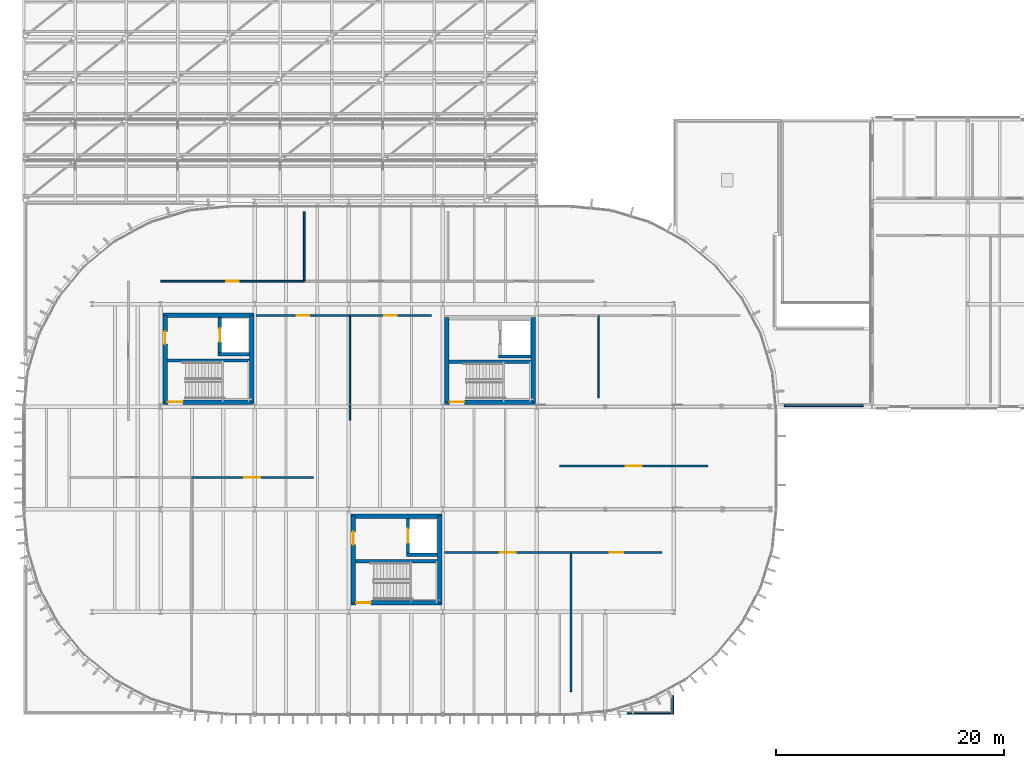
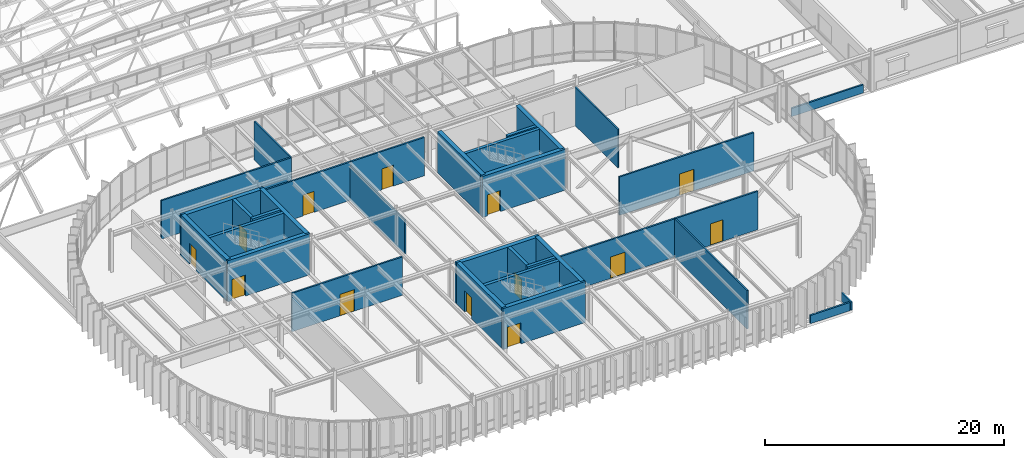
# One storey, part 53 of 69: 33 walls, 14 doors, 14 openings.
"""IFC4 building model written with IfcOpenShell, lengths in metres."""

from ifc_helpers import new_model, si_unit, direction, frame, frame_2d, origin, place, context, subcontext, project, spatial, rectangle, extrude, material, layer, layer_set, type_object, element, fill, save


model = new_model("IFC4")

# Units and contexts
model_context = context("Model", 3, precision=1e-05, world=origin(), true_north=direction((0.0, 1.0)))
body_context = subcontext(model_context, "Body", "Model", "MODEL_VIEW")
ifc_project = project(units=[si_unit("LENGTHUNIT", "METRE"), si_unit("AREAUNIT", "SQUARE_METRE"), si_unit("VOLUMEUNIT", "CUBIC_METRE"), si_unit("PLANEANGLEUNIT", "RADIAN"), si_unit("MASSUNIT", "GRAM", prefix="KILO")], contexts=[model_context])

# Site, building, storey
site_placement = place(None, origin())
site = spatial("IfcSite", under=ifc_project, at=site_placement, CompositionType="ELEMENT")
building_placement = place(site_placement, origin())
building = spatial("IfcBuilding", under=site, at=building_placement, Name="Montealbar Specialist Clinic", CompositionType="ELEMENT")
storey_placement = place(building_placement, frame((0.0, 0.0, 9.60009765625)))
storey = spatial("IfcBuildingStorey", under=building, at=storey_placement, Name="L02", CompositionType="ELEMENT", Elevation=9.60009765625)

# Walls
ifc_material_1 = material(Name="Concrete C35/45", Category="concrete")
ifc_layer_1 = layer(ifc_material_1, 0.300048828125, Name="Concrete C35/45", Category="concrete")
ifc_layer_set_1 = layer_set([ifc_layer_1], Name="Concrete C35/45")
wall_type_1 = type_object("IfcWallType", Name="WL-CORE-300", PredefinedType="SHEAR", material=ifc_layer_set_1)
wall_1_placement = place(storey_placement, frame((66.60009765625, 31.050048828125, 0.0), z_axis=(0.0, 0.0, 1.0), x_axis=(1.0, 0.0, 0.0)))
element("IfcWall", 1, at=wall_1_placement, inside=storey, type_object=wall_type_1, Name="Core C3 Stairwell Wall L02", PredefinedType="SHEAR", context=body_context, shape_type="SweptSolid", body=[
    extrude(rectangle(XDim=7.199951171875, YDim=0.300048828125, at=frame_2d((3.60009765625, 0.0))), origin(), (0.0, 0.0, 1.0), 4.199951171875),
])
wall_2_placement = place(storey_placement, frame((71.050048828125, 31.60009765625, 0.0), z_axis=(0.0, 0.0, 1.0), x_axis=(1.0, 0.0, 0.0)))
element("IfcWall", 2, at=wall_2_placement, inside=storey, type_object=wall_type_1, Name="Lift FL-01 Shaft Wall L02 LS", PredefinedType="SHEAR", context=body_context, shape_type="SweptSolid", body=[
    extrude(rectangle(XDim=2.75, YDim=0.300048828125, at=frame_2d((1.375, 0.0))), origin(), (0.0, 0.0, 1.0), 4.199951171875),
])

# Wall, opening, door
wall_3_placement = place(storey_placement, frame((71.199951171875, 31.75, 0.0), z_axis=(0.0, 0.0, 1.0), x_axis=(0.0, 1.0, 0.0)))
wall_3 = element("IfcWall", 3, at=wall_3_placement, inside=storey, type_object=wall_type_1, Name="Lift FL-01 Shaft Wall L02 LW", PredefinedType="SHEAR", context=body_context, shape_type="SweptSolid", body=[
    extrude(rectangle(XDim=3.050048828125, YDim=0.300048828125, at=frame_2d((1.52490234375, 0.0))), origin(), (0.0, 0.0, 1.0), 4.199951171875),
])
opening_1_placement = place(wall_3_placement, frame((0.925048828125, 0.0, 0.0)))
opening_1 = element("IfcOpeningElement", 4, at=opening_1_placement, cuts=wall_3, Name="Opening LD-12", PredefinedType="OPENING", context=body_context, shape_type="SweptSolid", body=[
    extrude(rectangle(XDim=1.199951171875, YDim=2.14990234375, at=frame_2d((0.60009765625, 1.074951171875))), frame((0.0, 0.159912109375, 0.0), z_axis=(0.0, -1.0, 0.0), x_axis=(1.0, 0.0, 0.0)), (0.0, 0.0, 1.0), 0.320068359375),
])
ifc_material_2 = material(Name="Steel S355", Category="steel")
door_type_1 = type_object("IfcDoorType", Name="DR-LIFT-LD1200", OperationType="DOUBLE_DOOR_SLIDING", PredefinedType="DOOR", material=ifc_material_2)
door_1_placement = place(opening_1_placement, origin())
door_1 = element("IfcDoor", 5, at=door_1_placement, inside=storey, type_object=door_type_1, Name="Lift FL-01 Sliding Landing Door L02", OperationType="DOUBLE_DOOR_SLIDING", OverallHeight=2.14990234375, OverallWidth=1.199951171875, PredefinedType="DOOR", context=body_context, shape_type="SweptSolid", body=[
    extrude(rectangle(XDim=1.199951171875, YDim=2.14990234375, at=frame_2d((0.60009765625, 1.074951171875))), frame((0.0, 0.02490234375, 0.0), z_axis=(0.0, -1.0, 0.0), x_axis=(1.0, 0.0, 0.0)), (0.0, 0.0, 1.0), 0.050048828125),
])
fill(opening_1, door_1)

# Walls
wall_4_placement = place(storey_placement, frame((83.10009765625, 13.449951171875, 0.0), z_axis=(0.0, 0.0, 1.0), x_axis=(1.0, 0.0, 0.0)))
element("IfcWall", 6, at=wall_4_placement, inside=storey, type_object=wall_type_1, Name="Core C4 Stairwell Wall L02", PredefinedType="SHEAR", context=body_context, shape_type="SweptSolid", body=[
    extrude(rectangle(XDim=7.199951171875, YDim=0.300048828125, at=frame_2d((3.60009765625, 0.0))), origin(), (0.0, 0.0, 1.0), 4.199951171875),
])
wall_5_placement = place(storey_placement, frame((87.550048828125, 14.0, 0.0), z_axis=(0.0, 0.0, 1.0), x_axis=(1.0, 0.0, 0.0)))
element("IfcWall", 7, at=wall_5_placement, inside=storey, type_object=wall_type_1, Name="Lift FL-02 Shaft Wall L02 LS", PredefinedType="SHEAR", context=body_context, shape_type="SweptSolid", body=[
    extrude(rectangle(XDim=2.75, YDim=0.300048828125, at=frame_2d((1.375, 0.0))), origin(), (0.0, 0.0, 1.0), 4.199951171875),
])

# Wall, opening, door
wall_6_placement = place(storey_placement, frame((87.699951171875, 14.14990234375, 0.0), z_axis=(0.0, 0.0, 1.0), x_axis=(0.0, 1.0, 0.0)))
wall_6 = element("IfcWall", 8, at=wall_6_placement, inside=storey, type_object=wall_type_1, Name="Lift FL-02 Shaft Wall L02 LW", PredefinedType="SHEAR", context=body_context, shape_type="SweptSolid", body=[
    extrude(rectangle(XDim=3.050048828125, YDim=0.300048828125, at=frame_2d((1.52490234375, 0.0))), origin(), (0.0, 0.0, 1.0), 4.199951171875),
])
opening_2_placement = place(wall_6_placement, frame((0.925048828125, 0.0, 0.0)))
opening_2 = element("IfcOpeningElement", 9, at=opening_2_placement, cuts=wall_6, Name="Opening LD-12", PredefinedType="OPENING", context=body_context, shape_type="SweptSolid", body=[
    extrude(rectangle(XDim=1.199951171875, YDim=2.14990234375, at=frame_2d((0.60009765625, 1.074951171875))), frame((0.0, 0.159912109375, 0.0), z_axis=(0.0, -1.0, 0.0), x_axis=(1.0, 0.0, 0.0)), (0.0, 0.0, 1.0), 0.320068359375),
])
door_2_placement = place(opening_2_placement, origin())
door_2 = element("IfcDoor", 10, at=door_2_placement, inside=storey, type_object=door_type_1, Name="Lift FL-02 Sliding Landing Door L02", OperationType="DOUBLE_DOOR_SLIDING", OverallHeight=2.14990234375, OverallWidth=1.199951171875, PredefinedType="DOOR", context=body_context, shape_type="SweptSolid", body=[
    extrude(rectangle(XDim=1.199951171875, YDim=2.14990234375, at=frame_2d((0.60009765625, 1.074951171875))), frame((0.0, 0.02490234375, 0.0), z_axis=(0.0, -1.0, 0.0), x_axis=(1.0, 0.0, 0.0)), (0.0, 0.0, 1.0), 0.050048828125),
])
fill(opening_2, door_2)

# Walls
wall_7_placement = place(storey_placement, frame((91.300048828125, 30.949951171875, 0.0), z_axis=(0.0, 0.0, 1.0), x_axis=(1.0, 0.0, 0.0)))
element("IfcWall", 11, at=wall_7_placement, inside=storey, type_object=wall_type_1, Name="Core C5 Stairwell Wall L02", PredefinedType="SHEAR", context=body_context, shape_type="SweptSolid", body=[
    extrude(rectangle(XDim=7.199951171875, YDim=0.300048828125, at=frame_2d((3.60009765625, 0.0))), origin(), (0.0, 0.0, 1.0), 4.199951171875),
])
wall_8_placement = place(storey_placement, frame((95.64990234375, 31.39990234375, 0.0), z_axis=(0.0, 0.0, 1.0), x_axis=(1.0, 0.0, 0.0)))
element("IfcWall", 12, at=wall_8_placement, inside=storey, type_object=wall_type_1, Name="Lift LF-03 Shaft Wall L02 LS", PredefinedType="SHEAR", context=body_context, shape_type="SweptSolid", body=[
    extrude(rectangle(XDim=2.85009765625, YDim=0.300048828125, at=frame_2d((1.425048828125, 0.0))), origin(), (0.0, 0.0, 1.0), 4.199951171875),
])

# Wall, opening, door
ifc_layer_2 = layer(ifc_material_1, 0.39990234375, Name="Concrete C35/45", Category="concrete")
ifc_layer_set_2 = layer_set([ifc_layer_2], Name="Concrete C35/45")
wall_type_2 = type_object("IfcWallType", Name="WL-CORE-400", PredefinedType="SHEAR", material=ifc_layer_set_2)
wall_9_placement = place(storey_placement, frame((66.199951171875, 27.39990234375, 0.0), z_axis=(0.0, 0.0, 1.0), x_axis=(1.0, 0.0, 0.0)))
wall_9 = element("IfcWall", 13, at=wall_9_placement, inside=storey, type_object=wall_type_2, Name="Core C3 Shear Wall L02 S", PredefinedType="SHEAR", context=body_context, shape_type="SweptSolid", body=[
    extrude(rectangle(XDim=8.0, YDim=0.39990234375, at=frame_2d((4.0, 0.0))), origin(), (0.0, 0.0, 1.0), 4.199951171875),
])
opening_3_placement = place(wall_9_placement, frame((0.449951171875, 0.0, 0.0)))
opening_3 = element("IfcOpeningElement", 14, at=opening_3_placement, cuts=wall_9, Name="Opening SD-13", PredefinedType="OPENING", context=body_context, shape_type="SweptSolid", body=[
    extrude(rectangle(XDim=1.300048828125, YDim=2.14990234375, at=frame_2d((0.64990234375, 1.074951171875))), frame((0.0, 0.2099609375, 0.0), z_axis=(0.0, -1.0, 0.0), x_axis=(1.0, 0.0, 0.0)), (0.0, 0.0, 1.0), 0.419921875),
])
door_type_2 = type_object("IfcDoorType", Name="DR-STAIR-W1300", OperationType="NOTDEFINED", PredefinedType="DOOR", material=ifc_material_2)
door_3_placement = place(opening_3_placement, frame((1.300048828125, 0.0, 0.0), z_axis=(0.0, 0.0, 1.0), x_axis=(-1.0, 0.0, 0.0)))
door_3 = element("IfcDoor", 15, at=door_3_placement, inside=storey, type_object=door_type_2, Name="Protected Core C3 Stair Fire Door L02", OperationType="SINGLE_SWING_LEFT", OverallHeight=2.14990234375, OverallWidth=1.300048828125, PredefinedType="DOOR", context=body_context, shape_type="SweptSolid", body=[
    extrude(rectangle(XDim=1.300048828125, YDim=2.14990234375, at=frame_2d((0.64990234375, 1.074951171875))), frame((0.0, 0.02490234375, 0.0), z_axis=(0.0, -1.0, 0.0), x_axis=(1.0, 0.0, 0.0)), (0.0, 0.0, 1.0), 0.050048828125),
])
fill(opening_3, door_3)

# Wall
wall_10_placement = place(storey_placement, frame((66.199951171875, 35.0, 0.0), z_axis=(0.0, 0.0, 1.0), x_axis=(1.0, 0.0, 0.0)))
element("IfcWall", 16, at=wall_10_placement, inside=storey, type_object=wall_type_2, Name="Core C3 Shear Wall L02 N", PredefinedType="SHEAR", context=body_context, shape_type="SweptSolid", body=[
    extrude(rectangle(XDim=8.0, YDim=0.39990234375, at=frame_2d((4.0, 0.0))), origin(), (0.0, 0.0, 1.0), 4.199951171875),
])

# Wall, opening, door
wall_11_placement = place(storey_placement, frame((66.39990234375, 27.39990234375, 0.0), z_axis=(0.0, 0.0, 1.0), x_axis=(0.0, 1.0, 0.0)))
wall_11 = element("IfcWall", 17, at=wall_11_placement, inside=storey, type_object=wall_type_2, Name="Core C3 Shear Wall L02 W", PredefinedType="SHEAR", context=body_context, shape_type="SweptSolid", body=[
    extrude(rectangle(XDim=7.60009765625, YDim=0.39990234375, at=frame_2d((3.800048828125, 0.0))), origin(), (0.0, 0.0, 1.0), 4.199951171875),
])
opening_4_placement = place(wall_11_placement, frame((5.090087890625, 0.0, 0.0)))
opening_4 = element("IfcOpeningElement", 18, at=opening_4_placement, cuts=wall_11, Name="Opening FD-110", PredefinedType="OPENING", context=body_context, shape_type="SweptSolid", body=[
    extrude(rectangle(XDim=1.1201171875, YDim=2.14990234375, at=frame_2d((0.56005859375, 1.074951171875))), frame((0.0, 0.2099609375, 0.0), z_axis=(0.0, -1.0, 0.0), x_axis=(1.0, 0.0, 0.0)), (0.0, 0.0, 1.0), 0.419921875),
])
door_type_3 = type_object("IfcDoorType", Name="DR-FIRE-W1100", OperationType="NOTDEFINED", PredefinedType="DOOR", material=ifc_material_2)
door_4_placement = place(opening_4_placement, origin())
door_4 = element("IfcDoor", 19, at=door_4_placement, inside=storey, type_object=door_type_3, Name="Firefighting Lobby C3 Entrance Door L02", OperationType="SINGLE_SWING_RIGHT", OverallHeight=2.14990234375, OverallWidth=1.1201171875, PredefinedType="DOOR", context=body_context, shape_type="SweptSolid", body=[
    extrude(rectangle(XDim=1.1201171875, YDim=2.14990234375, at=frame_2d((0.56005859375, 1.074951171875))), frame((0.0, 0.02490234375, 0.0), z_axis=(0.0, -1.0, 0.0), x_axis=(1.0, 0.0, 0.0)), (0.0, 0.0, 1.0), 0.050048828125),
])
fill(opening_4, door_4)

# Wall
wall_12_placement = place(storey_placement, frame((74.0, 27.39990234375, 0.0), z_axis=(0.0, 0.0, 1.0), x_axis=(0.0, 1.0, 0.0)))
element("IfcWall", 20, at=wall_12_placement, inside=storey, type_object=wall_type_2, Name="Core C3 Shear Wall L02 E", PredefinedType="SHEAR", context=body_context, shape_type="SweptSolid", body=[
    extrude(rectangle(XDim=7.60009765625, YDim=0.39990234375, at=frame_2d((3.800048828125, 0.0))), origin(), (0.0, 0.0, 1.0), 4.199951171875),
])

# Wall, opening, door
wall_13_placement = place(storey_placement, frame((82.699951171875, 9.800048828125, 0.0), z_axis=(0.0, 0.0, 1.0), x_axis=(1.0, 0.0, 0.0)))
wall_13 = element("IfcWall", 21, at=wall_13_placement, inside=storey, type_object=wall_type_2, Name="Core C4 Shear Wall L02 S", PredefinedType="SHEAR", context=body_context, shape_type="SweptSolid", body=[
    extrude(rectangle(XDim=8.0, YDim=0.39990234375, at=frame_2d((4.0, 0.0))), origin(), (0.0, 0.0, 1.0), 4.199951171875),
])
opening_5_placement = place(wall_13_placement, frame((0.449951171875, 0.0, 0.0)))
opening_5 = element("IfcOpeningElement", 22, at=opening_5_placement, cuts=wall_13, Name="Opening SD-13", PredefinedType="OPENING", context=body_context, shape_type="SweptSolid", body=[
    extrude(rectangle(XDim=1.300048828125, YDim=2.14990234375, at=frame_2d((0.64990234375, 1.074951171875))), frame((0.0, 0.2099609375, 0.0), z_axis=(0.0, -1.0, 0.0), x_axis=(1.0, 0.0, 0.0)), (0.0, 0.0, 1.0), 0.419921875),
])
door_5_placement = place(opening_5_placement, frame((1.300048828125, 0.0, 0.0), z_axis=(0.0, 0.0, 1.0), x_axis=(-1.0, 0.0, 0.0)))
door_5 = element("IfcDoor", 23, at=door_5_placement, inside=storey, type_object=door_type_2, Name="Protected Core C4 Stair Fire Door L02", OperationType="SINGLE_SWING_LEFT", OverallHeight=2.14990234375, OverallWidth=1.300048828125, PredefinedType="DOOR", context=body_context, shape_type="SweptSolid", body=[
    extrude(rectangle(XDim=1.300048828125, YDim=2.14990234375, at=frame_2d((0.64990234375, 1.074951171875))), frame((0.0, 0.02490234375, 0.0), z_axis=(0.0, -1.0, 0.0), x_axis=(1.0, 0.0, 0.0)), (0.0, 0.0, 1.0), 0.050048828125),
])
fill(opening_5, door_5)

# Wall
wall_14_placement = place(storey_placement, frame((82.699951171875, 17.39990234375, 0.0), z_axis=(0.0, 0.0, 1.0), x_axis=(1.0, 0.0, 0.0)))
element("IfcWall", 24, at=wall_14_placement, inside=storey, type_object=wall_type_2, Name="Core C4 Shear Wall L02 N", PredefinedType="SHEAR", context=body_context, shape_type="SweptSolid", body=[
    extrude(rectangle(XDim=8.0, YDim=0.39990234375, at=frame_2d((4.0, 0.0))), origin(), (0.0, 0.0, 1.0), 4.199951171875),
])

# Wall, opening, door
wall_15_placement = place(storey_placement, frame((82.89990234375, 9.800048828125, 0.0), z_axis=(0.0, 0.0, 1.0), x_axis=(0.0, 1.0, 0.0)))
wall_15 = element("IfcWall", 25, at=wall_15_placement, inside=storey, type_object=wall_type_2, Name="Core C4 Shear Wall L02 W", PredefinedType="SHEAR", context=body_context, shape_type="SweptSolid", body=[
    extrude(rectangle(XDim=7.599853515625, YDim=0.39990234375, at=frame_2d((3.7998046875, 0.0))), origin(), (0.0, 0.0, 1.0), 4.199951171875),
])
opening_6_placement = place(wall_15_placement, frame((5.090087890625, 0.0, 0.0)))
opening_6 = element("IfcOpeningElement", 26, at=opening_6_placement, cuts=wall_15, Name="Opening FD-110", PredefinedType="OPENING", context=body_context, shape_type="SweptSolid", body=[
    extrude(rectangle(XDim=1.1201171875, YDim=2.14990234375, at=frame_2d((0.56005859375, 1.074951171875))), frame((0.0, 0.2099609375, 0.0), z_axis=(0.0, -1.0, 0.0), x_axis=(1.0, 0.0, 0.0)), (0.0, 0.0, 1.0), 0.419921875),
])
door_6_placement = place(opening_6_placement, origin())
door_6 = element("IfcDoor", 27, at=door_6_placement, inside=storey, type_object=door_type_3, Name="Firefighting Lobby C4 Entrance Door L02", OperationType="SINGLE_SWING_RIGHT", OverallHeight=2.14990234375, OverallWidth=1.1201171875, PredefinedType="DOOR", context=body_context, shape_type="SweptSolid", body=[
    extrude(rectangle(XDim=1.1201171875, YDim=2.14990234375, at=frame_2d((0.56005859375, 1.074951171875))), frame((0.0, 0.02490234375, 0.0), z_axis=(0.0, -1.0, 0.0), x_axis=(1.0, 0.0, 0.0)), (0.0, 0.0, 1.0), 0.050048828125),
])
fill(opening_6, door_6)

# Wall
wall_16_placement = place(storey_placement, frame((90.5, 9.800048828125, 0.0), z_axis=(0.0, 0.0, 1.0), x_axis=(0.0, 1.0, 0.0)))
element("IfcWall", 28, at=wall_16_placement, inside=storey, type_object=wall_type_2, Name="Core C4 Shear Wall L02 E", PredefinedType="SHEAR", context=body_context, shape_type="SweptSolid", body=[
    extrude(rectangle(XDim=7.599853515625, YDim=0.39990234375, at=frame_2d((3.7998046875, 0.0))), origin(), (0.0, 0.0, 1.0), 4.199951171875),
])

# Wall, opening, door
wall_17_placement = place(storey_placement, frame((90.89990234375, 27.39990234375, 0.0), z_axis=(0.0, 0.0, 1.0), x_axis=(1.0, 0.0, 0.0)))
wall_17 = element("IfcWall", 29, at=wall_17_placement, inside=storey, type_object=wall_type_2, Name="Core C5 Shear Wall L02 S", PredefinedType="SHEAR", context=body_context, shape_type="SweptSolid", body=[
    extrude(rectangle(XDim=8.0, YDim=0.39990234375, at=frame_2d((4.0, 0.0))), origin(), (0.0, 0.0, 1.0), 4.199951171875),
])
opening_7_placement = place(wall_17_placement, frame((0.449951171875, 0.0, 0.0)))
opening_7 = element("IfcOpeningElement", 30, at=opening_7_placement, cuts=wall_17, Name="Opening SD-13", PredefinedType="OPENING", context=body_context, shape_type="SweptSolid", body=[
    extrude(rectangle(XDim=1.300048828125, YDim=2.14990234375, at=frame_2d((0.64990234375, 1.074951171875))), frame((0.0, 0.2099609375, 0.0), z_axis=(0.0, -1.0, 0.0), x_axis=(1.0, 0.0, 0.0)), (0.0, 0.0, 1.0), 0.419921875),
])
door_7_placement = place(opening_7_placement, frame((1.300048828125, 0.0, 0.0), z_axis=(0.0, 0.0, 1.0), x_axis=(-1.0, 0.0, 0.0)))
door_7 = element("IfcDoor", 31, at=door_7_placement, inside=storey, type_object=door_type_2, Name="Protected Core C5 Stair Fire Door L02", OperationType="SINGLE_SWING_LEFT", OverallHeight=2.14990234375, OverallWidth=1.300048828125, PredefinedType="DOOR", context=body_context, shape_type="SweptSolid", body=[
    extrude(rectangle(XDim=1.300048828125, YDim=2.14990234375, at=frame_2d((0.64990234375, 1.074951171875))), frame((0.0, 0.02490234375, 0.0), z_axis=(0.0, -1.0, 0.0), x_axis=(1.0, 0.0, 0.0)), (0.0, 0.0, 1.0), 0.050048828125),
])
fill(opening_7, door_7)

# Walls
for number, where, z_axis, x_axis, name in (
    (32, (91.10009765625, 27.39990234375, 0.0), (0.0, 0.0, 1.0), (0.0, 1.0, 0.0), "Core C5 Shear Wall L02 W"),
    (33, (98.699951171875, 27.39990234375, 0.0), (0.0, 0.0, 1.0), (0.0, 1.0, 0.0), "Core C5 Shear Wall L02 E"),
):
    element("IfcWall", number, at=place(storey_placement, frame(where, z_axis=z_axis, x_axis=x_axis)), inside=storey, type_object=wall_type_2, Name=name, PredefinedType="SHEAR", context=body_context, shape_type="SweptSolid", body=[
        extrude(rectangle(XDim=7.400146484375, YDim=0.39990234375, at=frame_2d((3.7001953125, 0.0))), origin(), (0.0, 0.0, 1.0), 4.199951171875),
    ])
ifc_material_3 = material(Name="Guadarrama granite ashlar", Category="masonry")
ifc_layer_3 = layer(ifc_material_3, 0.159912109375, Name="Guadarrama granite ashlar", Category="masonry")
ifc_layer_set_3 = layer_set([ifc_layer_3], Name="Guadarrama granite ashlar")
wall_type_3 = type_object("IfcWallType", Name="WL-PARAPET-160", PredefinedType="PARAPET", material=ifc_layer_set_3)
wall_18_placement = place(storey_placement, frame((127.64990234375, 27.080078125, 0.0), z_axis=(0.0, 0.0, 1.0), x_axis=(-1.0, 0.0, 0.0)))
element("IfcWall", 34, at=wall_18_placement, inside=storey, type_object=wall_type_3, Name="Roof Parapet L02-024", PredefinedType="PARAPET", context=body_context, shape_type="SweptSolid", body=[
    extrude(rectangle(XDim=6.94091796875, YDim=0.159912109375, at=frame_2d((3.470458984375, 0.0))), origin(), (0.0, 0.0, 1.0), 0.849853515625),
])
wall_19_placement = place(storey_placement, frame((110.919921875, 1.64892578125, 0.0), z_axis=(0.0, 0.0, 1.0), x_axis=(0.0, -1.0, 0.0)))
element("IfcWall", 35, at=wall_19_placement, inside=storey, type_object=wall_type_3, Name="Roof Parapet L02-028", PredefinedType="PARAPET", context=body_context, shape_type="SweptSolid", body=[
    extrude(rectangle(XDim=1.64892578125, YDim=0.159912109375, at=frame_2d((0.824462890625, 0.0))), origin(), (0.0, 0.0, 1.0), 0.849853515625),
])
wall_20_placement = place(storey_placement, frame((110.7451171875, 0.080078125, 0.0), z_axis=(0.0, 0.0, 1.0), x_axis=(-1.0, 0.0, 0.0)))
element("IfcWall", 36, at=wall_20_placement, inside=storey, type_object=wall_type_3, Name="Roof Parapet L02-029", PredefinedType="PARAPET", context=body_context, shape_type="SweptSolid", body=[
    extrude(rectangle(XDim=3.7900390625, YDim=0.159912109375, at=frame_2d((1.89501953125, 0.0))), origin(), (0.0, 0.0, 1.0), 0.849853515625),
])
ifc_material_4 = material(Name="Gypsum acoustic partition", Category="gypsum")
ifc_layer_4 = layer(ifc_material_4, 0.139892578125, Name="Gypsum acoustic partition", Category="gypsum")
ifc_layer_set_4 = layer_set([ifc_layer_4], Name="Gypsum acoustic partition")
wall_type_4 = type_object("IfcWallType", Name="WL-PART-ACOUSTIC-140", PredefinedType="PARTITIONING", material=ifc_layer_set_4)
wall_21_placement = place(storey_placement, frame((102.0, 2.0, 0.0), z_axis=(0.0, 0.0, 1.0), x_axis=(0.0, 1.0, 0.0)))
element("IfcWall", 37, at=wall_21_placement, inside=storey, type_object=wall_type_4, Name="Clinical Partition PART-L02-0139", PredefinedType="PARTITIONING", context=body_context, shape_type="SweptSolid", body=[
    extrude(rectangle(XDim=12.199951171875, YDim=0.139892578125, at=frame_2d((6.10009765625, 0.0))), origin(), (0.0, 0.0, 1.0), 3.929931640625),
])
wall_22_placement = place(storey_placement, frame((78.60009765625, 38.0, 0.0), z_axis=(0.0, 0.0, 1.0), x_axis=(0.0, 1.0, 0.0)))
element("IfcWall", 38, at=wall_22_placement, inside=storey, type_object=wall_type_4, Name="Clinical Partition PART-L02-0142", PredefinedType="PARTITIONING", context=body_context, shape_type="SweptSolid", body=[
    extrude(rectangle(XDim=6.10009765625, YDim=0.139892578125, at=frame_2d((3.050048828125, 0.0))), origin(), (0.0, 0.0, 1.0), 3.929931640625),
])
wall_23_placement = place(storey_placement, frame((104.39990234375, 27.800048828125, 0.0), z_axis=(0.0, 0.0, 1.0), x_axis=(0.0, 1.0, 0.0)))
element("IfcWall", 39, at=wall_23_placement, inside=storey, type_object=wall_type_4, Name="Clinical Partition PART-L02-0147", PredefinedType="PARTITIONING", context=body_context, shape_type="SweptSolid", body=[
    extrude(rectangle(XDim=7.199951171875, YDim=0.139892578125, at=frame_2d((3.60009765625, 0.0))), origin(), (0.0, 0.0, 1.0), 3.929931640625),
])
wall_24_placement = place(storey_placement, frame((82.60009765625, 25.800048828125, 0.0), z_axis=(0.0, 0.0, 1.0), x_axis=(0.0, 1.0, 0.0)))
element("IfcWall", 40, at=wall_24_placement, inside=storey, type_object=wall_type_4, Name="Clinical Partition PART-L02-0254", PredefinedType="PARTITIONING", context=body_context, shape_type="SweptSolid", body=[
    extrude(rectangle(XDim=9.199951171875, YDim=0.139892578125, at=frame_2d((4.60009765625, 0.0))), origin(), (0.0, 0.0, 1.0), 3.52978515625),
])

# Wall, opening, door
ifc_layer_5 = layer(ifc_material_4, 0.159912109375, Name="Gypsum acoustic partition", Category="gypsum")
ifc_layer_set_5 = layer_set([ifc_layer_5], Name="Gypsum acoustic partition")
wall_type_5 = type_object("IfcWallType", Name="WL-PART-CLINIC-160", PredefinedType="PARTITIONING", material=ifc_layer_set_5)
wall_25_placement = place(storey_placement, frame((68.699951171875, 20.800048828125, 0.0), z_axis=(0.0, 0.0, 1.0), x_axis=(1.0, 0.0, 0.0)))
wall_25 = element("IfcWall", 41, at=wall_25_placement, inside=storey, type_object=wall_type_5, Name="Clinical Partition PART-L02-0137", PredefinedType="PARTITIONING", context=body_context, shape_type="SweptSolid", body=[
    extrude(rectangle(XDim=10.699951171875, YDim=0.159912109375, at=frame_2d((5.35009765625, 0.0))), origin(), (0.0, 0.0, 1.0), 3.929931640625),
])
opening_8_placement = place(wall_25_placement, frame((4.64990234375, 0.0, 0.0)))
opening_8 = element("IfcOpeningElement", 42, at=opening_8_placement, cuts=wall_25, Name="Opening ID-140", PredefinedType="OPENING", context=body_context, shape_type="SweptSolid", body=[
    extrude(rectangle(XDim=1.39990234375, YDim=2.199951171875, at=frame_2d((0.699951171875, 1.10009765625))), frame((0.0, 0.08984375, 0.0), z_axis=(0.0, -1.0, 0.0), x_axis=(1.0, 0.0, 0.0)), (0.0, 0.0, 1.0), 0.179931640625),
])
ifc_material_5 = material(Name="Acoustic timber leaf", Category="wood")
door_type_4 = type_object("IfcDoorType", Name="DR-BED-W1400", OperationType="NOTDEFINED", PredefinedType="DOOR", material=ifc_material_5)
door_8_placement = place(opening_8_placement, origin())
door_8 = element("IfcDoor", 43, at=door_8_placement, inside=storey, type_object=door_type_4, Name="Clinical Room Door IDR-L02-0089", OperationType="SINGLE_SWING_RIGHT", OverallHeight=2.199951171875, OverallWidth=1.39990234375, PredefinedType="DOOR", context=body_context, shape_type="SweptSolid", body=[
    extrude(rectangle(XDim=1.39990234375, YDim=2.199951171875, at=frame_2d((0.699951171875, 1.10009765625))), frame((0.0, 0.02490234375, 0.0), z_axis=(0.0, -1.0, 0.0), x_axis=(1.0, 0.0, 0.0)), (0.0, 0.0, 1.0), 0.050048828125),
])
fill(opening_8, door_8)

wall_26_placement = place(storey_placement, frame((90.89990234375, 14.199951171875, 0.0), z_axis=(0.0, 0.0, 1.0), x_axis=(1.0, 0.0, 0.0)))
wall_26 = element("IfcWall", 44, at=wall_26_placement, inside=storey, type_object=wall_type_5, Name="Clinical Partition PART-L02-0138", PredefinedType="PARTITIONING", context=body_context, shape_type="SweptSolid", body=[
    extrude(rectangle(XDim=11.10009765625, YDim=0.159912109375, at=frame_2d((5.550048828125, 0.0))), origin(), (0.0, 0.0, 1.0), 3.929931640625),
])
opening_9_placement = place(wall_26_placement, frame((4.85009765625, 0.0, 0.0)))
opening_9 = element("IfcOpeningElement", 45, at=opening_9_placement, cuts=wall_26, Name="Opening ID-140", PredefinedType="OPENING", context=body_context, shape_type="SweptSolid", body=[
    extrude(rectangle(XDim=1.39990234375, YDim=2.199951171875, at=frame_2d((0.699951171875, 1.10009765625))), frame((0.0, 0.08984375, 0.0), z_axis=(0.0, -1.0, 0.0), x_axis=(1.0, 0.0, 0.0)), (0.0, 0.0, 1.0), 0.179931640625),
])
door_9_placement = place(opening_9_placement, origin())
door_9 = element("IfcDoor", 46, at=door_9_placement, inside=storey, type_object=door_type_4, Name="Clinical Room Door IDR-L02-0090", OperationType="SINGLE_SWING_LEFT", OverallHeight=2.199951171875, OverallWidth=1.39990234375, PredefinedType="DOOR", context=body_context, shape_type="SweptSolid", body=[
    extrude(rectangle(XDim=1.39990234375, YDim=2.199951171875, at=frame_2d((0.699951171875, 1.10009765625))), frame((0.0, 0.02490234375, 0.0), z_axis=(0.0, -1.0, 0.0), x_axis=(1.0, 0.0, 0.0)), (0.0, 0.0, 1.0), 0.050048828125),
])
fill(opening_9, door_9)

wall_27_placement = place(storey_placement, frame((102.0, 14.199951171875, 0.0), z_axis=(0.0, 0.0, 1.0), x_axis=(1.0, 0.0, 0.0)))
wall_27 = element("IfcWall", 47, at=wall_27_placement, inside=storey, type_object=wall_type_5, Name="Clinical Partition PART-L02-0140", PredefinedType="PARTITIONING", context=body_context, shape_type="SweptSolid", body=[
    extrude(rectangle(XDim=8.0, YDim=0.159912109375, at=frame_2d((4.0, 0.0))), origin(), (0.0, 0.0, 1.0), 3.929931640625),
])
opening_10_placement = place(wall_27_placement, frame((3.39990234375, 0.0, 0.0)))
opening_10 = element("IfcOpeningElement", 48, at=opening_10_placement, cuts=wall_27, Name="Opening ID-120", PredefinedType="OPENING", context=body_context, shape_type="SweptSolid", body=[
    extrude(rectangle(XDim=1.199951171875, YDim=2.199951171875, at=frame_2d((0.60009765625, 1.10009765625))), frame((0.0, 0.08984375, 0.0), z_axis=(0.0, -1.0, 0.0), x_axis=(1.0, 0.0, 0.0)), (0.0, 0.0, 1.0), 0.179931640625),
])
door_type_5 = type_object("IfcDoorType", Name="DR-CLIN-W1200", OperationType="NOTDEFINED", PredefinedType="DOOR", material=ifc_material_5)
door_10_placement = place(opening_10_placement, origin())
door_10 = element("IfcDoor", 49, at=door_10_placement, inside=storey, type_object=door_type_5, Name="Clinical Room Door IDR-L02-0091", OperationType="SINGLE_SWING_RIGHT", OverallHeight=2.199951171875, OverallWidth=1.199951171875, PredefinedType="DOOR", context=body_context, shape_type="SweptSolid", body=[
    extrude(rectangle(XDim=1.199951171875, YDim=2.199951171875, at=frame_2d((0.60009765625, 1.10009765625))), frame((0.0, 0.02490234375, 0.0), z_axis=(0.0, -1.0, 0.0), x_axis=(1.0, 0.0, 0.0)), (0.0, 0.0, 1.0), 0.050048828125),
])
fill(opening_10, door_10)

wall_28_placement = place(storey_placement, frame((66.0, 38.0, 0.0), z_axis=(0.0, 0.0, 1.0), x_axis=(1.0, 0.0, 0.0)))
wall_28 = element("IfcWall", 50, at=wall_28_placement, inside=storey, type_object=wall_type_5, Name="Clinical Partition PART-L02-0141", PredefinedType="PARTITIONING", context=body_context, shape_type="SweptSolid", body=[
    extrude(rectangle(XDim=12.60009765625, YDim=0.159912109375, at=frame_2d((6.300048828125, 0.0))), origin(), (0.0, 0.0, 1.0), 3.929931640625),
])
opening_11_placement = place(wall_28_placement, frame((5.75, 0.0, 0.0)))
opening_11 = element("IfcOpeningElement", 51, at=opening_11_placement, cuts=wall_28, Name="Opening ID-110", PredefinedType="OPENING", context=body_context, shape_type="SweptSolid", body=[
    extrude(rectangle(XDim=1.10009765625, YDim=2.14990234375, at=frame_2d((0.550048828125, 1.074951171875))), frame((0.0, 0.08984375, 0.0), z_axis=(0.0, -1.0, 0.0), x_axis=(1.0, 0.0, 0.0)), (0.0, 0.0, 1.0), 0.179931640625),
])
door_type_6 = type_object("IfcDoorType", Name="DR-CLIN-W1100", OperationType="NOTDEFINED", PredefinedType="DOOR", material=ifc_material_5)
door_11_placement = place(opening_11_placement, frame((1.10009765625, 0.0, 0.0), z_axis=(0.0, 0.0, 1.0), x_axis=(-1.0, 0.0, 0.0)))
door_11 = element("IfcDoor", 52, at=door_11_placement, inside=storey, type_object=door_type_6, Name="Clinical Room Door IDR-L02-0092", OperationType="SINGLE_SWING_LEFT", OverallHeight=2.14990234375, OverallWidth=1.10009765625, PredefinedType="DOOR", context=body_context, shape_type="SweptSolid", body=[
    extrude(rectangle(XDim=1.10009765625, YDim=2.14990234375, at=frame_2d((0.550048828125, 1.074951171875))), frame((0.0, 0.02490234375, 0.0), z_axis=(0.0, -1.0, 0.0), x_axis=(1.0, 0.0, 0.0)), (0.0, 0.0, 1.0), 0.050048828125),
])
fill(opening_11, door_11)

wall_29_placement = place(storey_placement, frame((74.39990234375, 35.0, 0.0), z_axis=(0.0, 0.0, 1.0), x_axis=(1.0, 0.0, 0.0)))
wall_29 = element("IfcWall", 53, at=wall_29_placement, inside=storey, type_object=wall_type_5, Name="Clinical Partition PART-L02-0253", PredefinedType="PARTITIONING", context=body_context, shape_type="SweptSolid", body=[
    extrude(rectangle(XDim=8.2001953125, YDim=0.159912109375, at=frame_2d((4.10009765625, 0.0))), origin(), (0.0, 0.0, 1.0), 3.929931640625),
])
opening_12_placement = place(wall_29_placement, frame((3.550048828125, 0.0, 0.0)))
opening_12 = element("IfcOpeningElement", 54, at=opening_12_placement, cuts=wall_29, Name="Opening ID-110", PredefinedType="OPENING", context=body_context, shape_type="SweptSolid", body=[
    extrude(rectangle(XDim=1.10009765625, YDim=2.14990234375, at=frame_2d((0.550048828125, 1.074951171875))), frame((0.0, 0.08984375, 0.0), z_axis=(0.0, -1.0, 0.0), x_axis=(1.0, 0.0, 0.0)), (0.0, 0.0, 1.0), 0.179931640625),
])
door_12_placement = place(opening_12_placement, origin())
door_12 = element("IfcDoor", 55, at=door_12_placement, inside=storey, type_object=door_type_6, Name="Clinical Room Door IDR-L02-0163", OperationType="SINGLE_SWING_LEFT", OverallHeight=2.14990234375, OverallWidth=1.10009765625, PredefinedType="DOOR", context=body_context, shape_type="SweptSolid", body=[
    extrude(rectangle(XDim=1.10009765625, YDim=2.14990234375, at=frame_2d((0.550048828125, 1.074951171875))), frame((0.0, 0.02490234375, 0.0), z_axis=(0.0, -1.0, 0.0), x_axis=(1.0, 0.0, 0.0)), (0.0, 0.0, 1.0), 0.050048828125),
])
fill(opening_12, door_12)

wall_30_placement = place(storey_placement, frame((82.60009765625, 35.0, 0.0), z_axis=(0.0, 0.0, 1.0), x_axis=(1.0, 0.0, 0.0)))
wall_30 = element("IfcWall", 56, at=wall_30_placement, inside=storey, type_object=wall_type_5, Name="Clinical Partition PART-L02-0255", PredefinedType="PARTITIONING", context=body_context, shape_type="SweptSolid", body=[
    extrude(rectangle(XDim=7.14990234375, YDim=0.159912109375, at=frame_2d((3.574951171875, 0.0))), origin(), (0.0, 0.0, 1.0), 3.929931640625),
])
opening_13_placement = place(wall_30_placement, frame((3.02490234375, 0.0, 0.0)))
opening_13 = element("IfcOpeningElement", 57, at=opening_13_placement, cuts=wall_30, Name="Opening ID-110", PredefinedType="OPENING", context=body_context, shape_type="SweptSolid", body=[
    extrude(rectangle(XDim=1.10009765625, YDim=2.14990234375, at=frame_2d((0.550048828125, 1.074951171875))), frame((0.0, 0.08984375, 0.0), z_axis=(0.0, -1.0, 0.0), x_axis=(1.0, 0.0, 0.0)), (0.0, 0.0, 1.0), 0.179931640625),
])
door_13_placement = place(opening_13_placement, origin())
door_13 = element("IfcDoor", 58, at=door_13_placement, inside=storey, type_object=door_type_6, Name="Clinical Room Door IDR-L02-0164", OperationType="SINGLE_SWING_RIGHT", OverallHeight=2.14990234375, OverallWidth=1.10009765625, PredefinedType="DOOR", context=body_context, shape_type="SweptSolid", body=[
    extrude(rectangle(XDim=1.10009765625, YDim=2.14990234375, at=frame_2d((0.550048828125, 1.074951171875))), frame((0.0, 0.02490234375, 0.0), z_axis=(0.0, -1.0, 0.0), x_axis=(1.0, 0.0, 0.0)), (0.0, 0.0, 1.0), 0.050048828125),
])
fill(opening_13, door_13)

wall_31_placement = place(storey_placement, frame((101.0, 21.800048828125, 0.0), z_axis=(0.0, 0.0, 1.0), x_axis=(1.0, 0.0, 0.0)))
wall_31 = element("IfcWall", 59, at=wall_31_placement, inside=storey, type_object=wall_type_5, Name="Clinical Partition PART-L02-0257", PredefinedType="PARTITIONING", context=body_context, shape_type="SweptSolid", body=[
    extrude(rectangle(XDim=13.0, YDim=0.159912109375, at=frame_2d((6.5, 0.0))), origin(), (0.0, 0.0, 1.0), 3.929931640625),
])
opening_14_placement = place(wall_31_placement, frame((5.800048828125, 0.0, 0.0)))
opening_14 = element("IfcOpeningElement", 60, at=opening_14_placement, cuts=wall_31, Name="Opening ID-140", PredefinedType="OPENING", context=body_context, shape_type="SweptSolid", body=[
    extrude(rectangle(XDim=1.39990234375, YDim=2.199951171875, at=frame_2d((0.699951171875, 1.10009765625))), frame((0.0, 0.08984375, 0.0), z_axis=(0.0, -1.0, 0.0), x_axis=(1.0, 0.0, 0.0)), (0.0, 0.0, 1.0), 0.179931640625),
])
door_14_placement = place(opening_14_placement, frame((1.39990234375, 0.0, 0.0), z_axis=(0.0, 0.0, 1.0), x_axis=(-1.0, 0.0, 0.0)))
door_14 = element("IfcDoor", 61, at=door_14_placement, inside=storey, type_object=door_type_4, Name="Clinical Room Door IDR-L02-0166", OperationType="SINGLE_SWING_RIGHT", OverallHeight=2.199951171875, OverallWidth=1.39990234375, PredefinedType="DOOR", context=body_context, shape_type="SweptSolid", body=[
    extrude(rectangle(XDim=1.39990234375, YDim=2.199951171875, at=frame_2d((0.699951171875, 1.10009765625))), frame((0.0, 0.02490234375, 0.0), z_axis=(0.0, -1.0, 0.0), x_axis=(1.0, 0.0, 0.0)), (0.0, 0.0, 1.0), 0.050048828125),
])
fill(opening_14, door_14)

save(model, "model.ifc")
